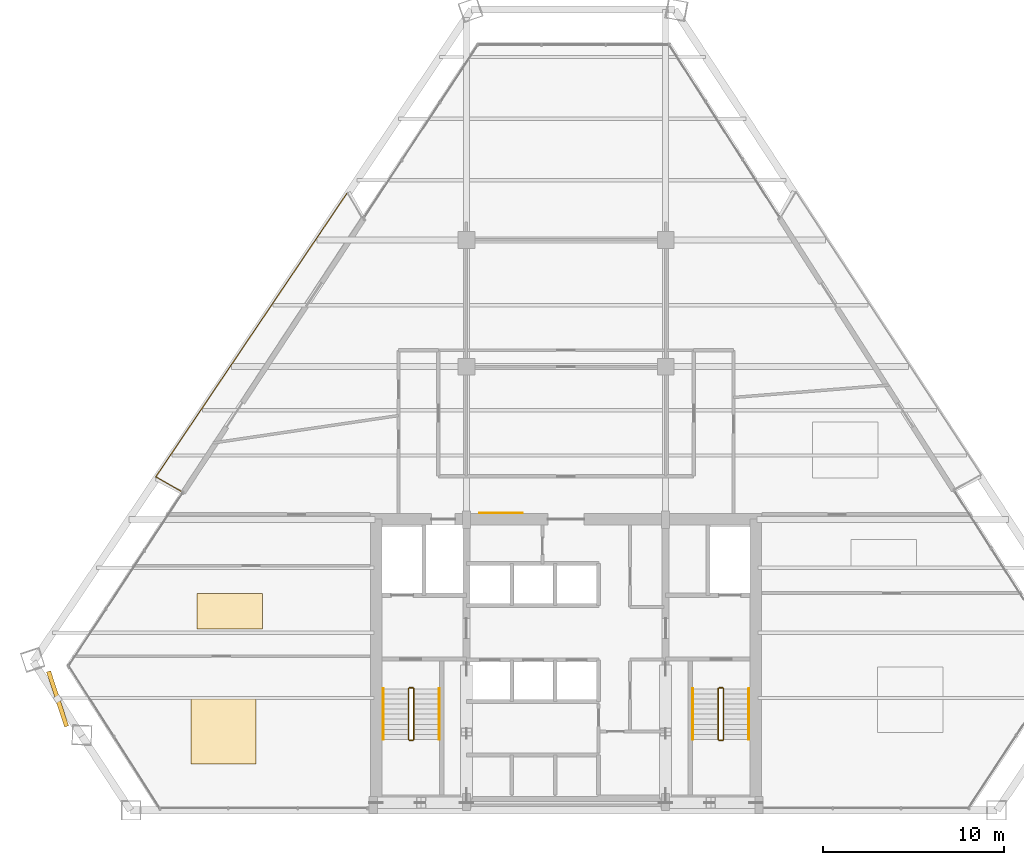
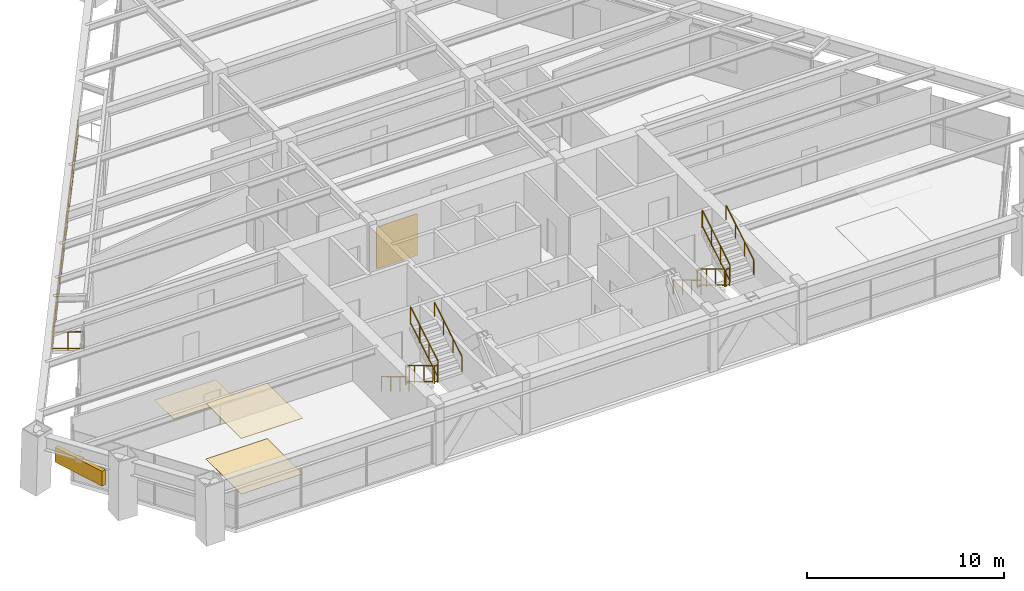
# One storey, part 13 of 14: 14 railings, 4 coverings, 1 shading device.
"""IFC4 building model written with IfcOpenShell, lengths in metres."""

import ifcopenshell
import ifcopenshell.guid

model = None  # the IFC model being written
_history = None  # IfcOwnerHistory: only IFC2X3 demands one
_inside = {}  # id of a spatial element -> (the spatial element, [elements in it])
_under = {}  # id of a project, library or spatial element -> (it, [spatial elements below it])
_declared = {}  # id of a project -> (the project, [libraries it declares])
_typed = {}  # id of a type object -> (the type object, [elements of that type])
_made_of = {}  # id of a material, layer set ... -> (it, [elements and type objects made of it])


def new_model(schema):
    """Start an empty IFC model of exactly this schema.

    Asked for "IFC4X3", IfcOpenShell would pick the latest addendum, in which some entities
    have other attributes; the version numbers below select the first issue.
    IFC2X3 requires an IfcOwnerHistory on every rooted entity: one is made here for all.
    """
    global model, _history
    if schema == "IFC4X3":
        model = ifcopenshell.file(schema_version=(4, 3, 0, 0))
    else:
        model = ifcopenshell.file(schema=schema)
    _inside.clear()
    _under.clear()
    _declared.clear()
    _typed.clear()
    _made_of.clear()
    _history = None
    if model.schema == "IFC2X3":
        org = make("IfcOrganization", Name="unknown")
        user = make(
            "IfcPersonAndOrganization",
            ThePerson=make("IfcPerson", FamilyName="unknown"),
            TheOrganization=org,
        )
        app = make(
            "IfcApplication",
            ApplicationDeveloper=org,
            Version="unknown",
            ApplicationFullName="unknown",
            ApplicationIdentifier="unknown",
        )
        _history = make(
            "IfcOwnerHistory",
            OwningUser=user,
            OwningApplication=app,
            ChangeAction="ADDED",
            CreationDate=0,
        )
    return model


def make(cls, **values):
    """One entity of the class cls with the attributes given. An attribute that is None is left unset."""
    return model.create_entity(
        cls, **{name: value for name, value in values.items() if value is not None}
    )


def rooted(cls, **values):
    """An entity with a GlobalId (a new one), such as an element, a storey or a relation."""
    return make(cls, GlobalId=ifcopenshell.guid.new(), OwnerHistory=_history, **values)


def si_unit(unit_type, name, prefix=None):
    """IfcSIUnit, for example si_unit("LENGTHUNIT", "METRE", prefix="MILLI")."""
    return make("IfcSIUnit", UnitType=unit_type, Prefix=prefix, Name=name)


def assignment(units):
    """IfcUnitAssignment: the units of a project."""
    return None if units is None else make("IfcUnitAssignment", Units=units)


def point(xyz):
    """IfcCartesianPoint."""
    return None if xyz is None else make("IfcCartesianPoint", Coordinates=xyz)


def direction(xyz):
    """IfcDirection."""
    return None if xyz is None else make("IfcDirection", DirectionRatios=xyz)


def frame(location, z_axis=None, x_axis=None):
    """IfcAxis2Placement3D, a coordinate frame: its origin and axes. An axis left out is left unset."""
    return make(
        "IfcAxis2Placement3D",
        Location=point(location),
        Axis=direction(z_axis),
        RefDirection=direction(x_axis),
    )


def frame_2d(location, x_axis=None):
    """IfcAxis2Placement2D, a coordinate frame in the plane: its origin and x axis."""
    return make(
        "IfcAxis2Placement2D", Location=point(location), RefDirection=direction(x_axis)
    )


def origin():
    """The frame at (0, 0, 0) with its axes left unset."""
    return frame((0.0, 0.0, 0.0))


def origin_2d():
    """The frame at (0, 0) in the plane with its x axis left unset."""
    return frame_2d((0.0, 0.0))


def place(relative_to, where):
    """IfcLocalPlacement: puts the frame where relative to a parent placement (None: the world)."""
    return make(
        "IfcLocalPlacement", PlacementRelTo=relative_to, RelativePlacement=where
    )


def context(
    kind, dimensions, precision=None, world=None, true_north=None, identifier=None
):
    """IfcGeometricRepresentationContext, for example the 3D "Model" context."""
    return make(
        "IfcGeometricRepresentationContext",
        ContextIdentifier=identifier,
        ContextType=kind,
        CoordinateSpaceDimension=dimensions,
        Precision=precision,
        WorldCoordinateSystem=world,
        TrueNorth=true_north,
    )


def subcontext(parent, identifier, kind, view, scale=None):
    """IfcGeometricRepresentationSubContext, for example "Body" below "Model"."""
    return make(
        "IfcGeometricRepresentationSubContext",
        ContextIdentifier=identifier,
        ContextType=kind,
        ParentContext=parent,
        TargetScale=scale,
        TargetView=view,
    )


def project(units=None, contexts=None):
    """IfcProject with its units and contexts."""
    return rooted(
        "IfcProject",
        Name="project",
        RepresentationContexts=contexts,
        UnitsInContext=assignment(units),
    )


def spatial(cls, under=None, at=None, **own):
    """A site, building, storey or space (cls), placed at a placement, below another one or the project."""
    s = rooted(cls, ObjectPlacement=at, **own)
    if under is not None:
        _under.setdefault(under.id(), (under, []))[1].append(s)
    return s


def profile(cls, at=None, kind="AREA", **sizes):
    """A parametric profile (cls). Its sizes go by their IFC names, for example OverallWidth=200.0."""
    return make(cls, ProfileType=kind, Position=at, **sizes)


def rectangle(**sizes):
    """IfcRectangleProfileDef."""
    return profile("IfcRectangleProfileDef", **sizes)


def extrude(swept, where, along, depth):
    """IfcExtrudedAreaSolid: the profile swept, set in the frame where, extruded along a direction by depth."""
    return make(
        "IfcExtrudedAreaSolid",
        SweptArea=swept,
        Position=where,
        ExtrudedDirection=direction(along),
        Depth=depth,
    )


def shape(context_of_items, identifier, shape_type, items):
    """IfcShapeRepresentation: the items that make up one representation, for example the "Body"."""
    return make(
        "IfcShapeRepresentation",
        ContextOfItems=context_of_items,
        RepresentationIdentifier=identifier,
        RepresentationType=shape_type,
        Items=items,
    )


def source(mapping_origin, context_of_items, identifier, shape_type, items):
    """IfcRepresentationMap: a shape defined once, which mapped items show again and again."""
    return make(
        "IfcRepresentationMap",
        MappingOrigin=mapping_origin,
        MappedRepresentation=shape(context_of_items, identifier, shape_type, items),
    )


def transform(
    local_origin,
    x_axis=None,
    y_axis=None,
    z_axis=None,
    scale=None,
    scale2=None,
    scale3=None,
    uniform=True,
):
    """IfcCartesianTransformationOperator3D, or its non-uniform kind. x_axis, y_axis, z_axis: its Axis1, 2, 3."""
    if uniform:
        return make(
            "IfcCartesianTransformationOperator3D",
            Axis1=direction(x_axis),
            Axis2=direction(y_axis),
            LocalOrigin=point(local_origin),
            Scale=scale,
            Axis3=direction(z_axis),
        )
    return make(
        "IfcCartesianTransformationOperator3DnonUniform",
        Axis1=direction(x_axis),
        Axis2=direction(y_axis),
        LocalOrigin=point(local_origin),
        Scale=scale,
        Axis3=direction(z_axis),
        Scale2=scale2,
        Scale3=scale3,
    )


def mapped(mapping_source, mapping_target):
    """IfcMappedItem: shows the shape of a source again, moved by a transform."""
    return make(
        "IfcMappedItem", MappingSource=mapping_source, MappingTarget=mapping_target
    )


def material(Name=None, Category=None):
    """IfcMaterial."""
    return make("IfcMaterial", Name=Name, Category=Category)


def layer(
    of_material, thickness, ventilated=None, Name=None, Category=None, Priority=None
):
    """IfcMaterialLayer: one layer of a wall or slab, of a material (None: an air gap)."""
    return make(
        "IfcMaterialLayer",
        Material=of_material,
        LayerThickness=thickness,
        IsVentilated=ventilated,
        Name=Name,
        Category=Category,
        Priority=Priority,
    )


def layer_set(layers, Name=None):
    """IfcMaterialLayerSet."""
    return make("IfcMaterialLayerSet", MaterialLayers=layers, LayerSetName=Name)


def made_of(thing, what):
    """Note that an element or type object is made of a material, layer set ...; save() writes the relation."""
    if what is not None:
        _made_of.setdefault(what.id(), (what, []))[1].append(thing)
    return thing


def type_object(cls, material=None, **own):
    """A type object (cls), such as IfcWallType, which elements share."""
    return made_of(rooted(cls, **own), material)


def type_shapes(of_type, sources):
    """Give a type object the sources (RepresentationMaps) that its elements show as mapped items."""
    of_type.RepresentationMaps = sources


def element(
    cls,
    number,
    at=None,
    inside=None,
    cuts=None,
    type_object=None,
    material=None,
    context=None,
    identifier="Body",
    shape_type=None,
    held_by="IfcProductDefinitionShape",
    body=None,
    shapes=None,
    **own,
):
    """One element of the class cls, such as IfcWall. Its Tag is "e" and its number.

    at: its placement. inside: the storey or other place that contains it. cuts: it is an
    opening in that element (IfcRelVoidsElement). A single representation is given by context,
    identifier, shape_type and body (its items); several are given by shapes. held_by: the class
    of the entity that holds the representations. save() writes the other relations.
    """
    e = rooted(cls, Tag="e%d" % number, ObjectPlacement=at, **own)
    if body is not None:
        shapes = [shape(context, identifier, shape_type, body)]
    if shapes is not None:
        e.Representation = make(held_by, Representations=shapes)
    if inside is not None:
        _inside.setdefault(inside.id(), (inside, []))[1].append(e)
    if cuts is not None:
        rooted(
            "IfcRelVoidsElement", RelatingBuildingElement=cuts, RelatedOpeningElement=e
        )
    if type_object is not None:
        _typed.setdefault(type_object.id(), (type_object, []))[1].append(e)
    return made_of(e, material)


def aggregate(whole, parts):
    """IfcRelAggregates: a whole, such as a stair, and the parts it consists of."""
    return rooted("IfcRelAggregates", RelatingObject=whole, RelatedObjects=parts)


def save(model, path):
    """Write the relations noted so far, then the file.

    IfcRelAggregates (storeys below a building ...), IfcRelContainedInSpatialStructure (elements
    in a storey), IfcRelDefinesByType, IfcRelAssociatesMaterial and IfcRelDeclares: one each for
    every whole, place, type object, material and project.
    """
    for whole, parts in _under.values():
        aggregate(whole, parts)
    for where, things in _inside.values():
        rooted(
            "IfcRelContainedInSpatialStructure",
            RelatedElements=things,
            RelatingStructure=where,
        )
    for kind, things in _typed.values():
        rooted("IfcRelDefinesByType", RelatedObjects=things, RelatingType=kind)
    for what, things in _made_of.values():
        rooted("IfcRelAssociatesMaterial", RelatedObjects=things, RelatingMaterial=what)
    for by, libraries in _declared.values():
        rooted("IfcRelDeclares", RelatingContext=by, RelatedDefinitions=libraries)
    model.write(path)


model = new_model("IFC4")

# Units and contexts
model_context = context("Model", 3, precision=1e-05, world=origin(), true_north=direction((0.0, 1.0)))
body_context = subcontext(model_context, "Body", "Model", "MODEL_VIEW")
ifc_project = project(units=[si_unit("LENGTHUNIT", "METRE"), si_unit("AREAUNIT", "SQUARE_METRE"), si_unit("VOLUMEUNIT", "CUBIC_METRE"), si_unit("PLANEANGLEUNIT", "RADIAN"), si_unit("MASSUNIT", "GRAM", prefix="KILO")], contexts=[model_context])

# Site, building, storey
site_placement = place(None, origin())
site = spatial("IfcSite", under=ifc_project, at=site_placement, CompositionType="ELEMENT")
building_placement = place(site_placement, origin())
building = spatial("IfcBuilding", under=site, at=building_placement, Name="Varnakhor Terracotta Tower", CompositionType="ELEMENT")
storey_placement = place(building_placement, frame((0.0, 0.0, 125.60009765625)))
storey = spatial("IfcBuildingStorey", under=building, at=storey_placement, Name="L31", CompositionType="ELEMENT", Elevation=125.60009765625)

# Railings
ifc_material_1 = material(Name="Stainless Steel & Laminated Glass Guardrail", Category="steel")
railing_type_1 = type_object("IfcRailingType", Name="RLG-LOGGIA-GUARD-1150", PredefinedType="GUARDRAIL", material=ifc_material_1)
railing_1_placement = place(storey_placement, frame((-21.2578125, 17.6201171875, 0.0)))
element("IfcRailing", 1, at=railing_1_placement, inside=storey, type_object=railing_type_1, Name="L31 W Loggia Glass Guard 1", PredefinedType="GUARDRAIL", context=body_context, shape_type="SweptSolid", body=[
    extrude(rectangle(XDim=0.048095703125, YDim=0.048095703125, at=origin_2d()), frame((0.0, 0.0, 1.1259765625), z_axis=(-0.869139066675, 0.494567773697, 0.0), x_axis=(-0.494567773697, -0.869139066675, 0.0)), (0.0, 0.0, 1.0), 1.607421875),
    extrude(rectangle(XDim=0.048095703125, YDim=0.048095703125, at=origin_2d()), frame((0.0, 0.0, 0.10009765625), z_axis=(-0.869139066675, 0.494567773697, 0.0), x_axis=(-0.494567773697, -0.869139066675, 0.0)), (0.0, 0.0, 1.0), 1.607421875),
    extrude(rectangle(XDim=0.0419921875, YDim=0.0419921875, at=origin_2d()), origin(), (0.0, 0.0, 1.0), 1.101806640625),
    extrude(rectangle(XDim=0.0419921875, YDim=0.0419921875, at=origin_2d()), frame((-0.698486328125, 0.3974609375, 0.0)), (0.0, 0.0, 1.0), 1.101806640625),
    extrude(rectangle(XDim=0.0419921875, YDim=0.0419921875, at=origin_2d()), frame((-1.39697265625, 0.794921875, 0.0)), (0.0, 0.0, 1.0), 1.101806640625),
])
railing_2_placement = place(storey_placement, frame((-22.65478515625, 18.4150390625, 0.0)))
element("IfcRailing", 2, at=railing_2_placement, inside=storey, type_object=railing_type_1, Name="L31 W Loggia Glass Guard 2", PredefinedType="GUARDRAIL", context=body_context, shape_type="SweptSolid", body=[
    extrude(rectangle(XDim=0.048095703125, YDim=0.048095703125, at=origin_2d()), frame((0.0, 0.0, 1.1259765625), z_axis=(0.55890169896, 0.829233918083, 0.0), x_axis=(-0.829233918083, 0.55890169896, 0.0)), (0.0, 0.0, 1.0), 18.915771484375),
    extrude(rectangle(XDim=0.048095703125, YDim=0.048095703125, at=origin_2d()), frame((0.0, 0.0, 0.10009765625), z_axis=(0.55890169896, 0.829233918083, 0.0), x_axis=(-0.829233918083, 0.55890169896, 0.0)), (0.0, 0.0, 1.0), 18.915771484375),
    extrude(rectangle(XDim=0.0419921875, YDim=0.0419921875, at=origin_2d()), origin(), (0.0, 0.0, 1.0), 1.101806640625),
    extrude(rectangle(XDim=0.0419921875, YDim=0.0419921875, at=origin_2d()), frame((0.755126953125, 1.120361328125, 0.0)), (0.0, 0.0, 1.0), 1.101806640625),
    extrude(rectangle(XDim=0.0419921875, YDim=0.0419921875, at=origin_2d()), frame((1.51025390625, 2.24072265625, 0.0)), (0.0, 0.0, 1.0), 1.101806640625),
    extrude(rectangle(XDim=0.0419921875, YDim=0.0419921875, at=origin_2d()), frame((2.265380859375, 3.361083984375, 0.0)), (0.0, 0.0, 1.0), 1.101806640625),
    extrude(rectangle(XDim=0.0419921875, YDim=0.0419921875, at=origin_2d()), frame((3.0205078125, 4.481689453125, 0.0)), (0.0, 0.0, 1.0), 1.101806640625),
    extrude(rectangle(XDim=0.0419921875, YDim=0.0419921875, at=origin_2d()), frame((3.775634765625, 5.60205078125, 0.0)), (0.0, 0.0, 1.0), 1.101806640625),
    extrude(rectangle(XDim=0.0419921875, YDim=0.0419921875, at=origin_2d()), frame((4.53076171875, 6.722412109375, 0.0)), (0.0, 0.0, 1.0), 1.101806640625),
    extrude(rectangle(XDim=0.0419921875, YDim=0.0419921875, at=origin_2d()), frame((5.2861328125, 7.8427734375, 0.0)), (0.0, 0.0, 1.0), 1.101806640625),
    extrude(rectangle(XDim=0.0419921875, YDim=0.0419921875, at=origin_2d()), frame((6.041259765625, 8.963134765625, 0.0)), (0.0, 0.0, 1.0), 1.101806640625),
    extrude(rectangle(XDim=0.0419921875, YDim=0.0419921875, at=origin_2d()), frame((6.79638671875, 10.08349609375, 0.0)), (0.0, 0.0, 1.0), 1.101806640625),
    extrude(rectangle(XDim=0.0419921875, YDim=0.0419921875, at=origin_2d()), frame((7.551513671875, 11.203857421875, 0.0)), (0.0, 0.0, 1.0), 1.101806640625),
    extrude(rectangle(XDim=0.0419921875, YDim=0.0419921875, at=origin_2d()), frame((8.306640625, 12.324462890625, 0.0)), (0.0, 0.0, 1.0), 1.101806640625),
    extrude(rectangle(XDim=0.0419921875, YDim=0.0419921875, at=origin_2d()), frame((9.061767578125, 13.44482421875, 0.0)), (0.0, 0.0, 1.0), 1.101806640625),
    extrude(rectangle(XDim=0.0419921875, YDim=0.0419921875, at=origin_2d()), frame((9.81689453125, 14.565185546875, 0.0)), (0.0, 0.0, 1.0), 1.101806640625),
    extrude(rectangle(XDim=0.0419921875, YDim=0.0419921875, at=origin_2d()), frame((10.572021484375, 15.685546875, 0.0)), (0.0, 0.0, 1.0), 1.101806640625),
])
ifc_material_2 = material(Name="Painted Steel Stairwell Guardrail", Category="steel")
railing_type_2 = type_object("IfcRailingType", Name="RLG-STAIR-GUARD-1120", PredefinedType="GUARDRAIL", material=ifc_material_2)
railing_3_placement = place(storey_placement, frame((-8.699951171875, 6.7099609375, 0.16796875)))
element("IfcRailing", 3, at=railing_3_placement, inside=storey, type_object=railing_type_2, Name="L31 ST-1 stair guard 1", PredefinedType="GUARDRAIL", context=body_context, shape_type="SweptSolid", body=[
    extrude(rectangle(XDim=0.048095703125, YDim=0.048095703125, at=origin_2d()), frame((0.0, 0.0, 1.09619140625), z_axis=(0.0, -0.857242210791, 0.514913383045), x_axis=(1.0, 0.0, 0.0)), (0.0, 0.0, 1.0), 3.266357421875),
    extrude(rectangle(XDim=0.048095703125, YDim=0.048095703125, at=origin_2d()), frame((0.0, 0.0, 0.10009765625), z_axis=(0.0, -0.857242210791, 0.514913383045), x_axis=(1.0, 0.0, 0.0)), (0.0, 0.0, 1.0), 3.266357421875),
    extrude(rectangle(XDim=0.0419921875, YDim=0.0419921875, at=origin_2d()), origin(), (0.0, 0.0, 1.0), 1.072021484375),
    extrude(rectangle(XDim=0.0419921875, YDim=0.0419921875, at=origin_2d()), frame((0.0, -0.933349609375, 0.560546875)), (0.0, 0.0, 1.0), 1.072021484375),
    extrude(rectangle(XDim=0.0419921875, YDim=0.0419921875, at=origin_2d()), frame((0.0, -1.86669921875, 1.121337890625)), (0.0, 0.0, 1.0), 1.072021484375),
    extrude(rectangle(XDim=0.0419921875, YDim=0.0419921875, at=origin_2d()), frame((0.0, -2.800048828125, 1.681884765625)), (0.0, 0.0, 1.0), 1.072021484375),
])
railing_4_placement = place(storey_placement, frame((-8.64990234375, 3.860107421875, 1.849853515625)))
element("IfcRailing", 4, at=railing_4_placement, inside=storey, type_object=railing_type_2, Name="L31 ST-1 stair guard 2", PredefinedType="GUARDRAIL", context=body_context, shape_type="SweptSolid", body=[
    extrude(rectangle(XDim=0.048095703125, YDim=0.048095703125, at=origin_2d()), frame((0.0, 0.0, 1.09619140625), z_axis=(1.0, 0.0, 0.0), x_axis=(0.0, 1.0, 0.0)), (0.0, 0.0, 1.0), 0.199951171875),
    extrude(rectangle(XDim=0.048095703125, YDim=0.048095703125, at=origin_2d()), frame((0.0, 0.0, 0.10009765625), z_axis=(1.0, 0.0, 0.0), x_axis=(0.0, 1.0, 0.0)), (0.0, 0.0, 1.0), 0.199951171875),
    extrude(rectangle(XDim=0.0419921875, YDim=0.0419921875, at=origin_2d()), origin(), (0.0, 0.0, 1.0), 1.072021484375),
    extrude(rectangle(XDim=0.0419921875, YDim=0.0419921875, at=origin_2d()), frame((0.199951171875, 0.0, 0.0)), (0.0, 0.0, 1.0), 1.072021484375),
])
railing_5_placement = place(storey_placement, frame((-8.39990234375, 3.909912109375, 2.01806640625)))
element("IfcRailing", 5, at=railing_5_placement, inside=storey, type_object=railing_type_2, Name="L31 ST-1 stair guard 3", PredefinedType="GUARDRAIL", context=body_context, shape_type="SweptSolid", body=[
    extrude(rectangle(XDim=0.048095703125, YDim=0.048095703125, at=origin_2d()), frame((0.0, 0.0, 1.09619140625), z_axis=(0.0, 0.857242210791, 0.514913383045), x_axis=(-1.0, 0.0, 0.0)), (0.0, 0.0, 1.0), 3.266357421875),
    extrude(rectangle(XDim=0.048095703125, YDim=0.048095703125, at=origin_2d()), frame((0.0, 0.0, 0.10009765625), z_axis=(0.0, 0.857242210791, 0.514913383045), x_axis=(-1.0, 0.0, 0.0)), (0.0, 0.0, 1.0), 3.266357421875),
    extrude(rectangle(XDim=0.0419921875, YDim=0.0419921875, at=origin_2d()), origin(), (0.0, 0.0, 1.0), 1.072021484375),
    extrude(rectangle(XDim=0.0419921875, YDim=0.0419921875, at=origin_2d()), frame((0.0, 0.933349609375, 0.560546875)), (0.0, 0.0, 1.0), 1.072021484375),
    extrude(rectangle(XDim=0.0419921875, YDim=0.0419921875, at=origin_2d()), frame((0.0, 1.86669921875, 1.121337890625)), (0.0, 0.0, 1.0), 1.072021484375),
    extrude(rectangle(XDim=0.0419921875, YDim=0.0419921875, at=origin_2d()), frame((0.0, 2.800048828125, 1.681884765625)), (0.0, 0.0, 1.0), 1.072021484375),
])
railing_6_placement = place(storey_placement, frame((-8.64990234375, 6.760009765625, 0.0)))
element("IfcRailing", 6, at=railing_6_placement, inside=storey, type_object=railing_type_2, Name="L31 ST-1 stair guard 4", PredefinedType="GUARDRAIL", context=body_context, shape_type="SweptSolid", body=[
    extrude(rectangle(XDim=0.048095703125, YDim=0.048095703125, at=origin_2d()), frame((0.0, 0.0, 1.09619140625), z_axis=(1.0, 0.0, 0.0), x_axis=(0.0, 1.0, 0.0)), (0.0, 0.0, 1.0), 0.199951171875),
    extrude(rectangle(XDim=0.048095703125, YDim=0.048095703125, at=origin_2d()), frame((0.0, 0.0, 0.10009765625), z_axis=(1.0, 0.0, 0.0), x_axis=(0.0, 1.0, 0.0)), (0.0, 0.0, 1.0), 0.199951171875),
    extrude(rectangle(XDim=0.0419921875, YDim=0.0419921875, at=origin_2d()), origin(), (0.0, 0.0, 1.0), 1.072021484375),
    extrude(rectangle(XDim=0.0419921875, YDim=0.0419921875, at=origin_2d()), frame((0.199951171875, 0.0, 0.0)), (0.0, 0.0, 1.0), 1.072021484375),
])
railing_7_placement = place(storey_placement, frame((8.39990234375, 6.7099609375, 0.16796875)))
element("IfcRailing", 7, at=railing_7_placement, inside=storey, type_object=railing_type_2, Name="L31 ST-2 stair guard 1", PredefinedType="GUARDRAIL", context=body_context, shape_type="SweptSolid", body=[
    extrude(rectangle(XDim=0.048095703125, YDim=0.048095703125, at=origin_2d()), frame((0.0, 0.0, 1.09619140625), z_axis=(0.0, -0.857242210791, 0.514913383045), x_axis=(1.0, 0.0, 0.0)), (0.0, 0.0, 1.0), 3.266357421875),
    extrude(rectangle(XDim=0.048095703125, YDim=0.048095703125, at=origin_2d()), frame((0.0, 0.0, 0.10009765625), z_axis=(0.0, -0.857242210791, 0.514913383045), x_axis=(1.0, 0.0, 0.0)), (0.0, 0.0, 1.0), 3.266357421875),
    extrude(rectangle(XDim=0.0419921875, YDim=0.0419921875, at=origin_2d()), origin(), (0.0, 0.0, 1.0), 1.072021484375),
    extrude(rectangle(XDim=0.0419921875, YDim=0.0419921875, at=origin_2d()), frame((0.0, -0.933349609375, 0.560546875)), (0.0, 0.0, 1.0), 1.072021484375),
    extrude(rectangle(XDim=0.0419921875, YDim=0.0419921875, at=origin_2d()), frame((0.0, -1.86669921875, 1.121337890625)), (0.0, 0.0, 1.0), 1.072021484375),
    extrude(rectangle(XDim=0.0419921875, YDim=0.0419921875, at=origin_2d()), frame((0.0, -2.800048828125, 1.681884765625)), (0.0, 0.0, 1.0), 1.072021484375),
])
railing_8_placement = place(storey_placement, frame((8.449951171875, 3.860107421875, 1.849853515625)))
element("IfcRailing", 8, at=railing_8_placement, inside=storey, type_object=railing_type_2, Name="L31 ST-2 stair guard 2", PredefinedType="GUARDRAIL", context=body_context, shape_type="SweptSolid", body=[
    extrude(rectangle(XDim=0.048095703125, YDim=0.048095703125, at=origin_2d()), frame((0.0, 0.0, 1.09619140625), z_axis=(1.0, 0.0, 0.0), x_axis=(0.0, 1.0, 0.0)), (0.0, 0.0, 1.0), 0.199951171875),
    extrude(rectangle(XDim=0.048095703125, YDim=0.048095703125, at=origin_2d()), frame((0.0, 0.0, 0.10009765625), z_axis=(1.0, 0.0, 0.0), x_axis=(0.0, 1.0, 0.0)), (0.0, 0.0, 1.0), 0.199951171875),
    extrude(rectangle(XDim=0.0419921875, YDim=0.0419921875, at=origin_2d()), origin(), (0.0, 0.0, 1.0), 1.072021484375),
    extrude(rectangle(XDim=0.0419921875, YDim=0.0419921875, at=origin_2d()), frame((0.199951171875, 0.0, 0.0)), (0.0, 0.0, 1.0), 1.072021484375),
])
railing_9_placement = place(storey_placement, frame((8.699951171875, 3.909912109375, 2.01806640625)))
element("IfcRailing", 9, at=railing_9_placement, inside=storey, type_object=railing_type_2, Name="L31 ST-2 stair guard 3", PredefinedType="GUARDRAIL", context=body_context, shape_type="SweptSolid", body=[
    extrude(rectangle(XDim=0.048095703125, YDim=0.048095703125, at=origin_2d()), frame((0.0, 0.0, 1.09619140625), z_axis=(0.0, 0.857242210791, 0.514913383045), x_axis=(-1.0, 0.0, 0.0)), (0.0, 0.0, 1.0), 3.266357421875),
    extrude(rectangle(XDim=0.048095703125, YDim=0.048095703125, at=origin_2d()), frame((0.0, 0.0, 0.10009765625), z_axis=(0.0, 0.857242210791, 0.514913383045), x_axis=(-1.0, 0.0, 0.0)), (0.0, 0.0, 1.0), 3.266357421875),
    extrude(rectangle(XDim=0.0419921875, YDim=0.0419921875, at=origin_2d()), origin(), (0.0, 0.0, 1.0), 1.072021484375),
    extrude(rectangle(XDim=0.0419921875, YDim=0.0419921875, at=origin_2d()), frame((0.0, 0.933349609375, 0.560546875)), (0.0, 0.0, 1.0), 1.072021484375),
    extrude(rectangle(XDim=0.0419921875, YDim=0.0419921875, at=origin_2d()), frame((0.0, 1.86669921875, 1.121337890625)), (0.0, 0.0, 1.0), 1.072021484375),
    extrude(rectangle(XDim=0.0419921875, YDim=0.0419921875, at=origin_2d()), frame((0.0, 2.800048828125, 1.681884765625)), (0.0, 0.0, 1.0), 1.072021484375),
])
railing_10_placement = place(storey_placement, frame((8.449951171875, 6.760009765625, 0.0)))
element("IfcRailing", 10, at=railing_10_placement, inside=storey, type_object=railing_type_2, Name="L31 ST-2 stair guard 4", PredefinedType="GUARDRAIL", context=body_context, shape_type="SweptSolid", body=[
    extrude(rectangle(XDim=0.048095703125, YDim=0.048095703125, at=origin_2d()), frame((0.0, 0.0, 1.09619140625), z_axis=(1.0, 0.0, 0.0), x_axis=(0.0, 1.0, 0.0)), (0.0, 0.0, 1.0), 0.199951171875),
    extrude(rectangle(XDim=0.048095703125, YDim=0.048095703125, at=origin_2d()), frame((0.0, 0.0, 0.10009765625), z_axis=(1.0, 0.0, 0.0), x_axis=(0.0, 1.0, 0.0)), (0.0, 0.0, 1.0), 0.199951171875),
    extrude(rectangle(XDim=0.0419921875, YDim=0.0419921875, at=origin_2d()), origin(), (0.0, 0.0, 1.0), 1.072021484375),
    extrude(rectangle(XDim=0.0419921875, YDim=0.0419921875, at=origin_2d()), frame((0.199951171875, 0.0, 0.0)), (0.0, 0.0, 1.0), 1.072021484375),
])
ifc_material_3 = material(Name="Brushed Stainless Steel Handrail", Category="steel")
railing_type_3 = type_object("IfcRailingType", Name="RLG-STAIR-HANDRAIL-920", PredefinedType="HANDRAIL", material=ifc_material_3)
railing_11_placement = place(storey_placement, frame((-10.10009765625, 6.7099609375, 0.16796875)))
element("IfcRailing", 11, at=railing_11_placement, inside=storey, type_object=railing_type_3, Name="L31 ST-1 stair handrail 1", PredefinedType="HANDRAIL", context=body_context, shape_type="SweptSolid", body=[
    extrude(rectangle(XDim=0.048095703125, YDim=0.048095703125, at=origin_2d()), frame((0.0, 0.0, 0.89599609375), z_axis=(0.0, -0.857242210791, 0.514913383045), x_axis=(1.0, 0.0, 0.0)), (0.0, 0.0, 1.0), 3.266357421875),
    extrude(rectangle(XDim=0.0419921875, YDim=0.0419921875, at=origin_2d()), origin(), (0.0, 0.0, 1.0), 0.871826171875),
    extrude(rectangle(XDim=0.0419921875, YDim=0.0419921875, at=origin_2d()), frame((0.0, -0.933349609375, 0.560546875)), (0.0, 0.0, 1.0), 0.871826171875),
    extrude(rectangle(XDim=0.0419921875, YDim=0.0419921875, at=origin_2d()), frame((0.0, -1.86669921875, 1.121337890625)), (0.0, 0.0, 1.0), 0.871826171875),
    extrude(rectangle(XDim=0.0419921875, YDim=0.0419921875, at=origin_2d()), frame((0.0, -2.800048828125, 1.681884765625)), (0.0, 0.0, 1.0), 0.871826171875),
])
railing_12_placement = place(storey_placement, frame((-7.0, 3.909912109375, 2.01806640625)))
element("IfcRailing", 12, at=railing_12_placement, inside=storey, type_object=railing_type_3, Name="L31 ST-1 stair handrail 2", PredefinedType="HANDRAIL", context=body_context, shape_type="SweptSolid", body=[
    extrude(rectangle(XDim=0.048095703125, YDim=0.048095703125, at=origin_2d()), frame((0.0, 0.0, 0.89599609375), z_axis=(0.0, 0.857242210791, 0.514913383045), x_axis=(-1.0, 0.0, 0.0)), (0.0, 0.0, 1.0), 3.266357421875),
    extrude(rectangle(XDim=0.0419921875, YDim=0.0419921875, at=origin_2d()), origin(), (0.0, 0.0, 1.0), 0.871826171875),
    extrude(rectangle(XDim=0.0419921875, YDim=0.0419921875, at=origin_2d()), frame((0.0, 0.933349609375, 0.560546875)), (0.0, 0.0, 1.0), 0.871826171875),
    extrude(rectangle(XDim=0.0419921875, YDim=0.0419921875, at=origin_2d()), frame((0.0, 1.86669921875, 1.121337890625)), (0.0, 0.0, 1.0), 0.871826171875),
    extrude(rectangle(XDim=0.0419921875, YDim=0.0419921875, at=origin_2d()), frame((0.0, 2.800048828125, 1.681884765625)), (0.0, 0.0, 1.0), 0.871826171875),
])
railing_13_placement = place(storey_placement, frame((7.0, 6.7099609375, 0.16796875)))
element("IfcRailing", 13, at=railing_13_placement, inside=storey, type_object=railing_type_3, Name="L31 ST-2 stair handrail 1", PredefinedType="HANDRAIL", context=body_context, shape_type="SweptSolid", body=[
    extrude(rectangle(XDim=0.048095703125, YDim=0.048095703125, at=origin_2d()), frame((0.0, 0.0, 0.89599609375), z_axis=(0.0, -0.857242210791, 0.514913383045), x_axis=(1.0, 0.0, 0.0)), (0.0, 0.0, 1.0), 3.266357421875),
    extrude(rectangle(XDim=0.0419921875, YDim=0.0419921875, at=origin_2d()), origin(), (0.0, 0.0, 1.0), 0.871826171875),
    extrude(rectangle(XDim=0.0419921875, YDim=0.0419921875, at=origin_2d()), frame((0.0, -0.933349609375, 0.560546875)), (0.0, 0.0, 1.0), 0.871826171875),
    extrude(rectangle(XDim=0.0419921875, YDim=0.0419921875, at=origin_2d()), frame((0.0, -1.86669921875, 1.121337890625)), (0.0, 0.0, 1.0), 0.871826171875),
    extrude(rectangle(XDim=0.0419921875, YDim=0.0419921875, at=origin_2d()), frame((0.0, -2.800048828125, 1.681884765625)), (0.0, 0.0, 1.0), 0.871826171875),
])
railing_14_placement = place(storey_placement, frame((10.10009765625, 3.909912109375, 2.01806640625)))
element("IfcRailing", 14, at=railing_14_placement, inside=storey, type_object=railing_type_3, Name="L31 ST-2 stair handrail 2", PredefinedType="HANDRAIL", context=body_context, shape_type="SweptSolid", body=[
    extrude(rectangle(XDim=0.048095703125, YDim=0.048095703125, at=origin_2d()), frame((0.0, 0.0, 0.89599609375), z_axis=(0.0, 0.857242210791, 0.514913383045), x_axis=(-1.0, 0.0, 0.0)), (0.0, 0.0, 1.0), 3.266357421875),
    extrude(rectangle(XDim=0.0419921875, YDim=0.0419921875, at=origin_2d()), origin(), (0.0, 0.0, 1.0), 0.871826171875),
    extrude(rectangle(XDim=0.0419921875, YDim=0.0419921875, at=origin_2d()), frame((0.0, 0.933349609375, 0.560546875)), (0.0, 0.0, 1.0), 0.871826171875),
    extrude(rectangle(XDim=0.0419921875, YDim=0.0419921875, at=origin_2d()), frame((0.0, 1.86669921875, 1.121337890625)), (0.0, 0.0, 1.0), 0.871826171875),
    extrude(rectangle(XDim=0.0419921875, YDim=0.0419921875, at=origin_2d()), frame((0.0, 2.800048828125, 1.681884765625)), (0.0, 0.0, 1.0), 0.871826171875),
])

# Shading device
ifc_material_4 = material(Name="Extruded Architectural Terracotta Screen", Category="masonry")
shading_device_type = type_object("IfcShadingDeviceType", Name="TERRACOTTA SOLAR SCREEN W", PredefinedType="USERDEFINED", material=ifc_material_4)
shared_shape_1 = source(origin(), body_context, "Body", "SweptSolid", [
    extrude(rectangle(XDim=3.199951171875, YDim=0.239990234375, at=origin_2d()), origin(), (0.0, 0.0, 1.0), 0.919921875),
])
type_shapes(shading_device_type, [shared_shape_1])
shading_device_placement = place(storey_placement, frame((-28.080810546875, 6.152099609375, 1.7099609375), z_axis=(0.0, 0.0, 1.0), x_axis=(0.312351498605, -0.949966600107, 0.0)))
element("IfcShadingDevice", 15, at=shading_device_placement, inside=storey, type_object=shading_device_type, Name="L31 W Terracotta Solar Screen", ObjectType="SCREEN", PredefinedType="USERDEFINED", context=body_context, shape_type="MappedRepresentation", body=[
    mapped(shared_shape_1, transform((0.0, 0.0, 0.0), scale=1.0)),
])

# Coverings
ifc_material_5 = material(Name="Extruded Architectural Terracotta Cladding", Category="masonry")
ifc_layer_1 = layer(ifc_material_5, 0.044921875, Name="Extruded Architectural Terracotta Cladding")
ifc_layer_set_1 = layer_set([ifc_layer_1], Name="Extruded Architectural Terracotta Cladding")
covering_type_1 = type_object("IfcCoveringType", Name="COV-CLAD-TERRACOTTA", PredefinedType="CLADDING", material=ifc_layer_set_1)
shared_shape_2 = source(origin(), body_context, "Body", "SweptSolid", [
    extrude(rectangle(XDim=2.39990234375, YDim=0.030029296875, at=origin_2d()), origin(), (0.0, 0.0, 1.0), 2.60009765625),
])
type_shapes(covering_type_1, [shared_shape_2])
covering_1_placement = place(storey_placement, frame((-3.60009765625, 16.412109375, -0.000244140625), z_axis=(0.0, 0.0, 1.0), x_axis=(1.0, 0.0, 0.0)))
element("IfcCovering", 16, at=covering_1_placement, inside=storey, type_object=covering_type_1, Name="L31 Core Lobby Limestone Cladding", PredefinedType="CLADDING", context=body_context, shape_type="MappedRepresentation", body=[
    mapped(shared_shape_2, transform((0.0, 0.0, 0.0), scale=1.0)),
])
ifc_material_6 = material(Name="Honed Riyadh Limestone Flooring", Category="masonry")
ifc_layer_2 = layer(ifc_material_6, 0.030029296875, Name="Honed Riyadh Limestone Flooring")
ifc_layer_set_2 = layer_set([ifc_layer_2], Name="Honed Riyadh Limestone Flooring")
covering_type_2 = type_object("IfcCoveringType", Name="COV-FLOOR-LIMESTONE", PredefinedType="FLOORING", material=ifc_layer_set_2)
shared_shape_3 = source(origin(), body_context, "Body", "SweptSolid", [
    extrude(rectangle(XDim=3.60009765625, YDim=3.60009765625, at=origin_2d()), origin(), (0.0, 0.0, 1.0), 0.02001953125),
])
covering_2_placement = place(storey_placement, frame((-18.919921875, 4.35205078125, 0.0), z_axis=(0.0, 0.0, 1.0), x_axis=(1.0, 0.0, 0.0)))
element("IfcCovering", 17, at=covering_2_placement, inside=storey, type_object=covering_type_2, Name="L31 Honed Stone Flooring 1", PredefinedType="FLOORING", context=body_context, shape_type="MappedRepresentation", body=[
    mapped(shared_shape_3, transform((0.0, 0.0, 0.0), scale=1.0)),
])
ifc_material_7 = material(Name="Perforated Acoustic Mineral-Fibre Ceiling", Category="gypsum")
ifc_layer_3 = layer(ifc_material_7, 0.02490234375, Name="Perforated Acoustic Mineral-Fibre Ceiling")
ifc_layer_set_3 = layer_set([ifc_layer_3], Name="Perforated Acoustic Mineral-Fibre Ceiling")
covering_type_3 = type_object("IfcCoveringType", Name="COV-CEILING-ACOUSTIC", PredefinedType="CEILING", material=ifc_layer_set_3)
shared_shape_4 = source(origin(), body_context, "Body", "SweptSolid", [
    extrude(rectangle(XDim=3.60009765625, YDim=3.60009765625, at=origin_2d()), origin(), (0.0, 0.0, 1.0), 0.02392578125),
])
covering_3_placement = place(storey_placement, frame((-18.919921875, 4.35205078125, 3.446044921875), z_axis=(0.0, 0.0, 1.0), x_axis=(1.0, 0.0, 0.0)))
element("IfcCovering", 18, at=covering_3_placement, inside=storey, type_object=covering_type_3, Name="L31 Acoustic Ceiling Panel 1", PredefinedType="CEILING", context=body_context, shape_type="MappedRepresentation", body=[
    mapped(shared_shape_4, transform((0.0, 0.0, 0.0), scale=1.0)),
])
shared_shape_5 = source(origin(), body_context, "Body", "SweptSolid", [
    extrude(rectangle(XDim=3.60009765625, YDim=1.950927734375, at=origin_2d()), origin(), (0.0, 0.0, 1.0), 0.02001953125),
])
covering_4_placement = place(storey_placement, frame((-18.573974609375, 11.0, 0.0), z_axis=(0.0, 0.0, 1.0), x_axis=(1.0, 0.0, 0.0)))
element("IfcCovering", 19, at=covering_4_placement, inside=storey, type_object=covering_type_2, Name="L31 Honed Stone Flooring 3", PredefinedType="FLOORING", context=body_context, shape_type="MappedRepresentation", body=[
    mapped(shared_shape_5, transform((0.0, 0.0, 0.0), scale=1.0)),
])

save(model, "model.ifc")
